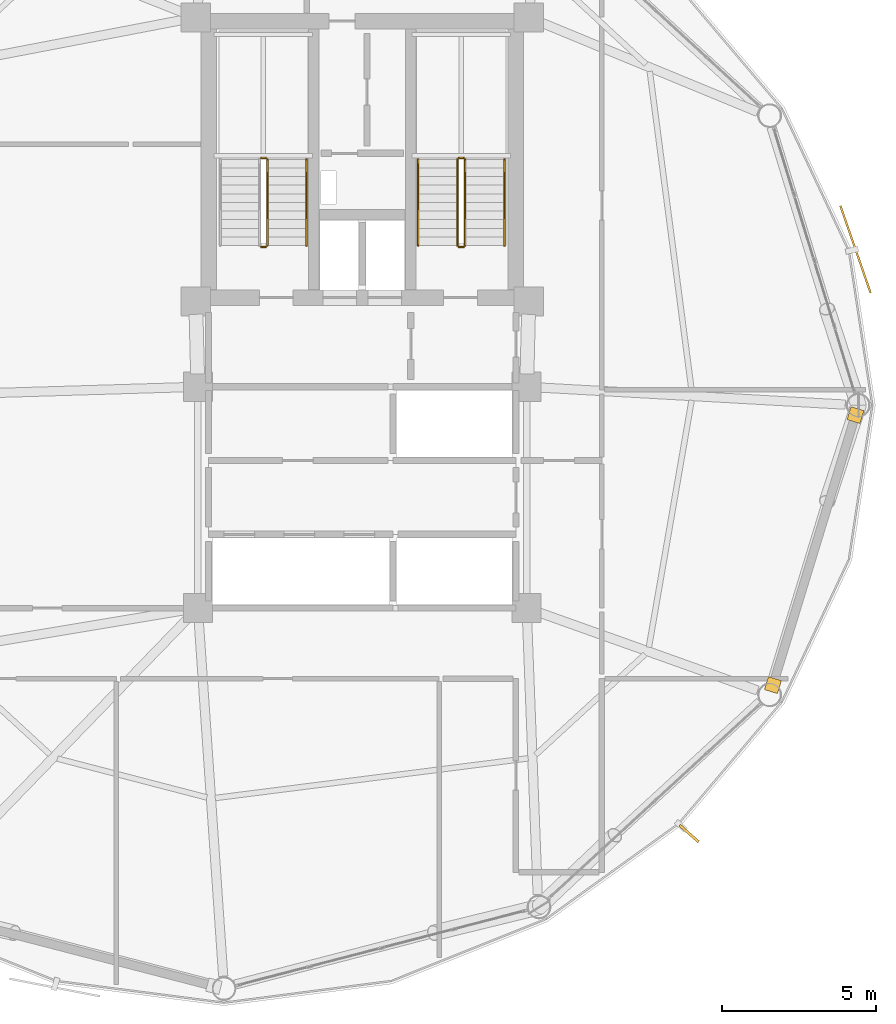
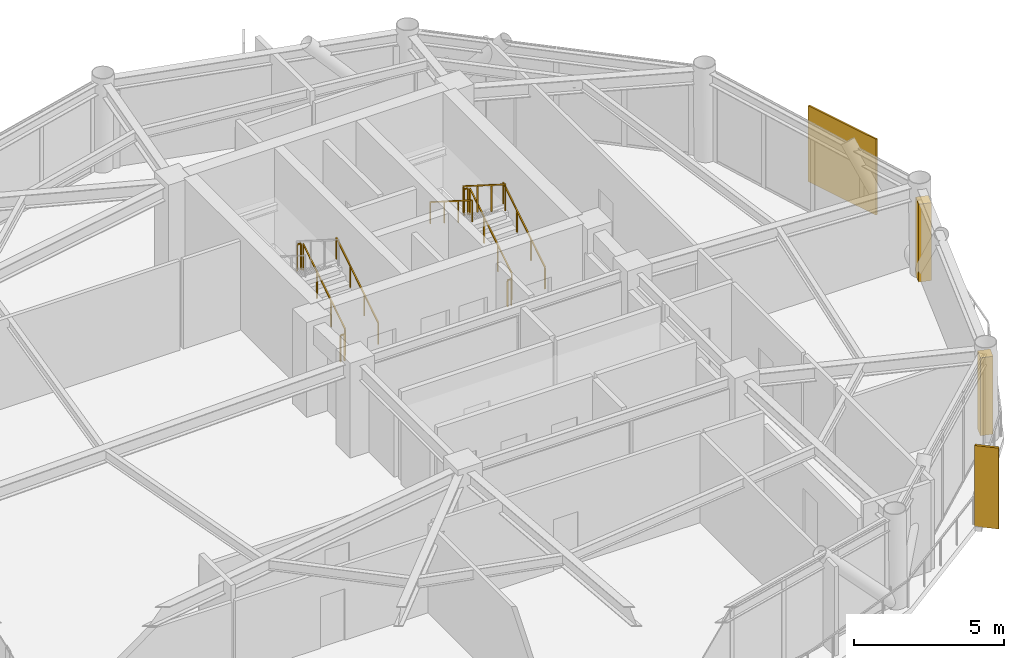
# One storey, part 24 of 25: 10 railings, 2 coverings, 2 shading devices.
"""IFC4 building model written with IfcOpenShell, lengths in metres."""

from ifc_helpers import new_model, si_unit, direction, frame, origin, origin_2d, place, context, subcontext, project, spatial, rectangle, extrude, source, transform, mapped, material, layer, layer_set, type_object, type_shapes, element, save


model = new_model("IFC4")

# Units and contexts
model_context = context("Model", 3, precision=1e-05, world=origin(), true_north=direction((0.0, 1.0)))
body_context = subcontext(model_context, "Body", "Model", "MODEL_VIEW")
ifc_project = project(units=[si_unit("LENGTHUNIT", "METRE"), si_unit("AREAUNIT", "SQUARE_METRE"), si_unit("VOLUMEUNIT", "CUBIC_METRE"), si_unit("PLANEANGLEUNIT", "RADIAN"), si_unit("MASSUNIT", "GRAM", prefix="KILO")], contexts=[model_context])

# Site, building, storey
site_placement = place(None, origin())
site = spatial("IfcSite", under=ifc_project, at=site_placement, CompositionType="ELEMENT")
building_placement = place(site_placement, origin())
building = spatial("IfcBuilding", under=site, at=building_placement, Name="Varnakorn Sky Granary", CompositionType="ELEMENT")
storey_placement = place(building_placement, frame((0.0, 0.0, 157.800048828125)))
storey = spatial("IfcBuildingStorey", under=building, at=storey_placement, Name="L39", CompositionType="ELEMENT", Elevation=157.800048828125)

# Railings
ifc_material_1 = material(Name="Brushed Stainless Steel 316", Category="steel")
railing_type_1 = type_object("IfcRailingType", Name="RL-STAIR-1100", PredefinedType="GUARDRAIL", material=ifc_material_1)
railing_1_placement = place(storey_placement, frame((-0.090087890625, 5.199951171875, 0.17724609375)))
element("IfcRailing", 1, at=railing_1_placement, inside=storey, type_object=railing_type_1, Name="L39 ST-1 stair guard 1", PredefinedType="GUARDRAIL", context=body_context, shape_type="SweptSolid", body=[
    extrude(rectangle(XDim=0.048095703125, YDim=0.048095703125, at=origin_2d()), frame((0.0, 0.0, 1.076171875), z_axis=(0.0, 0.844908973607, 0.534910110503), x_axis=(-1.0, 0.0, 0.0)), (0.0, 0.0, 1.0), 3.31396484375),
    extrude(rectangle(XDim=0.0419921875, YDim=0.0419921875, at=origin_2d()), origin(), (0.0, 0.0, 1.0), 1.048095703125),
    extrude(rectangle(XDim=0.0419921875, YDim=0.0419921875, at=origin_2d()), frame((0.0, 0.933349609375, 0.5908203125)), (0.0, 0.0, 1.0), 1.048095703125),
    extrude(rectangle(XDim=0.0419921875, YDim=0.0419921875, at=origin_2d()), frame((0.0, 1.86669921875, 1.181884765625)), (0.0, 0.0, 1.0), 1.048095703125),
    extrude(rectangle(XDim=0.0419921875, YDim=0.0419921875, at=origin_2d()), frame((0.0, 2.800048828125, 1.772705078125)), (0.0, 0.0, 1.0), 1.048095703125),
])
for number, where, name in (
    (2, (-0.139892578125, 8.050048828125, 1.949951171875), "L39 ST-1 stair guard 2"),
    (3, (-0.139892578125, 5.14990234375, 0.0), "L39 ST-1 stair guard 4"),
):
    element("IfcRailing", number, at=place(storey_placement, frame(where)), inside=storey, type_object=railing_type_1, Name=name, PredefinedType="GUARDRAIL", context=body_context, shape_type="SweptSolid", body=[
        extrude(rectangle(XDim=0.048095703125, YDim=0.048095703125, at=origin_2d()), frame((0.0, 0.0, 1.076171875), z_axis=(-1.0, 0.0, 0.0), x_axis=(0.0, -1.0, 0.0)), (0.0, 0.0, 1.0), 0.150146484375),
        extrude(rectangle(XDim=0.0419921875, YDim=0.0419921875, at=origin_2d()), origin(), (0.0, 0.0, 1.0), 1.048095703125),
        extrude(rectangle(XDim=0.0419921875, YDim=0.0419921875, at=origin_2d()), frame((-0.150146484375, 0.0, 0.0)), (0.0, 0.0, 1.0), 1.048095703125),
    ])
railing_2_placement = place(storey_placement, frame((6.35009765625, 5.199951171875, 0.17724609375)))
element("IfcRailing", 4, at=railing_2_placement, inside=storey, type_object=railing_type_1, Name="L39 ST-2 stair guard 1", PredefinedType="GUARDRAIL", context=body_context, shape_type="SweptSolid", body=[
    extrude(rectangle(XDim=0.048095703125, YDim=0.048095703125, at=origin_2d()), frame((0.0, 0.0, 1.076171875), z_axis=(0.0, 0.844908973607, 0.534910110503), x_axis=(-1.0, 0.0, 0.0)), (0.0, 0.0, 1.0), 3.31396484375),
    extrude(rectangle(XDim=0.0419921875, YDim=0.0419921875, at=origin_2d()), origin(), (0.0, 0.0, 1.0), 1.048095703125),
    extrude(rectangle(XDim=0.0419921875, YDim=0.0419921875, at=origin_2d()), frame((0.0, 0.933349609375, 0.5908203125)), (0.0, 0.0, 1.0), 1.048095703125),
    extrude(rectangle(XDim=0.0419921875, YDim=0.0419921875, at=origin_2d()), frame((0.0, 1.86669921875, 1.181884765625)), (0.0, 0.0, 1.0), 1.048095703125),
    extrude(rectangle(XDim=0.0419921875, YDim=0.0419921875, at=origin_2d()), frame((0.0, 2.800048828125, 1.772705078125)), (0.0, 0.0, 1.0), 1.048095703125),
])
railing_3_placement = place(storey_placement, frame((6.300048828125, 8.050048828125, 1.949951171875)))
element("IfcRailing", 5, at=railing_3_placement, inside=storey, type_object=railing_type_1, Name="L39 ST-2 stair guard 2", PredefinedType="GUARDRAIL", context=body_context, shape_type="SweptSolid", body=[
    extrude(rectangle(XDim=0.048095703125, YDim=0.048095703125, at=origin_2d()), frame((0.0, 0.0, 1.076171875), z_axis=(-1.0, 0.0, 0.0), x_axis=(0.0, -1.0, 0.0)), (0.0, 0.0, 1.0), 0.150146484375),
    extrude(rectangle(XDim=0.0419921875, YDim=0.0419921875, at=origin_2d()), origin(), (0.0, 0.0, 1.0), 1.048095703125),
    extrude(rectangle(XDim=0.0419921875, YDim=0.0419921875, at=origin_2d()), frame((-0.150146484375, 0.0, 0.0)), (0.0, 0.0, 1.0), 1.048095703125),
])
railing_4_placement = place(storey_placement, frame((6.10009765625, 8.0, 2.127197265625)))
element("IfcRailing", 6, at=railing_4_placement, inside=storey, type_object=railing_type_1, Name="L39 ST-2 stair guard 3", PredefinedType="GUARDRAIL", context=body_context, shape_type="SweptSolid", body=[
    extrude(rectangle(XDim=0.048095703125, YDim=0.048095703125, at=origin_2d()), frame((0.0, 0.0, 1.076171875), z_axis=(0.0, -0.844908973607, 0.534910110503), x_axis=(1.0, 0.0, 0.0)), (0.0, 0.0, 1.0), 3.31396484375),
    extrude(rectangle(XDim=0.0419921875, YDim=0.0419921875, at=origin_2d()), origin(), (0.0, 0.0, 1.0), 1.048095703125),
    extrude(rectangle(XDim=0.0419921875, YDim=0.0419921875, at=origin_2d()), frame((0.0, -0.933349609375, 0.5908203125)), (0.0, 0.0, 1.0), 1.048095703125),
    extrude(rectangle(XDim=0.0419921875, YDim=0.0419921875, at=origin_2d()), frame((0.0, -1.86669921875, 1.181884765625)), (0.0, 0.0, 1.0), 1.048095703125),
    extrude(rectangle(XDim=0.0419921875, YDim=0.0419921875, at=origin_2d()), frame((0.0, -2.800048828125, 1.772705078125)), (0.0, 0.0, 1.0), 1.048095703125),
])
railing_5_placement = place(storey_placement, frame((6.300048828125, 5.14990234375, 0.0)))
element("IfcRailing", 7, at=railing_5_placement, inside=storey, type_object=railing_type_1, Name="L39 ST-2 stair guard 4", PredefinedType="GUARDRAIL", context=body_context, shape_type="SweptSolid", body=[
    extrude(rectangle(XDim=0.048095703125, YDim=0.048095703125, at=origin_2d()), frame((0.0, 0.0, 1.076171875), z_axis=(-1.0, 0.0, 0.0), x_axis=(0.0, -1.0, 0.0)), (0.0, 0.0, 1.0), 0.150146484375),
    extrude(rectangle(XDim=0.0419921875, YDim=0.0419921875, at=origin_2d()), origin(), (0.0, 0.0, 1.0), 1.048095703125),
    extrude(rectangle(XDim=0.0419921875, YDim=0.0419921875, at=origin_2d()), frame((-0.150146484375, 0.0, 0.0)), (0.0, 0.0, 1.0), 1.048095703125),
])
railing_type_2 = type_object("IfcRailingType", Name="RL-STAIR-920", PredefinedType="HANDRAIL", material=ifc_material_1)
for number, where, name in (
    (8, (1.18994140625, 5.199951171875, 0.17724609375), "L39 ST-1 stair handrail 1"),
    (9, (7.6298828125, 5.199951171875, 0.17724609375), "L39 ST-2 stair handrail 1"),
):
    element("IfcRailing", number, at=place(storey_placement, frame(where)), inside=storey, type_object=railing_type_2, Name=name, PredefinedType="HANDRAIL", context=body_context, shape_type="SweptSolid", body=[
        extrude(rectangle(XDim=0.048095703125, YDim=0.048095703125, at=origin_2d()), frame((0.0, 0.0, 0.8759765625), z_axis=(0.0, 0.844908973607, 0.534910110503), x_axis=(-1.0, 0.0, 0.0)), (0.0, 0.0, 1.0), 3.31396484375),
        extrude(rectangle(XDim=0.0419921875, YDim=0.0419921875, at=origin_2d()), origin(), (0.0, 0.0, 1.0), 0.847900390625),
        extrude(rectangle(XDim=0.0419921875, YDim=0.0419921875, at=origin_2d()), frame((0.0, 0.933349609375, 0.5908203125)), (0.0, 0.0, 1.0), 0.847900390625),
        extrude(rectangle(XDim=0.0419921875, YDim=0.0419921875, at=origin_2d()), frame((0.0, 1.86669921875, 1.181884765625)), (0.0, 0.0, 1.0), 0.847900390625),
        extrude(rectangle(XDim=0.0419921875, YDim=0.0419921875, at=origin_2d()), frame((0.0, 2.800048828125, 1.772705078125)), (0.0, 0.0, 1.0), 0.847900390625),
    ])
railing_6_placement = place(storey_placement, frame((4.820068359375, 8.0, 2.127197265625)))
element("IfcRailing", 10, at=railing_6_placement, inside=storey, type_object=railing_type_2, Name="L39 ST-2 stair handrail 2", PredefinedType="HANDRAIL", context=body_context, shape_type="SweptSolid", body=[
    extrude(rectangle(XDim=0.048095703125, YDim=0.048095703125, at=origin_2d()), frame((0.0, 0.0, 0.8759765625), z_axis=(0.0, -0.844908973607, 0.534910110503), x_axis=(1.0, 0.0, 0.0)), (0.0, 0.0, 1.0), 3.31396484375),
    extrude(rectangle(XDim=0.0419921875, YDim=0.0419921875, at=origin_2d()), origin(), (0.0, 0.0, 1.0), 0.847900390625),
    extrude(rectangle(XDim=0.0419921875, YDim=0.0419921875, at=origin_2d()), frame((0.0, -0.933349609375, 0.5908203125)), (0.0, 0.0, 1.0), 0.847900390625),
    extrude(rectangle(XDim=0.0419921875, YDim=0.0419921875, at=origin_2d()), frame((0.0, -1.86669921875, 1.181884765625)), (0.0, 0.0, 1.0), 0.847900390625),
    extrude(rectangle(XDim=0.0419921875, YDim=0.0419921875, at=origin_2d()), frame((0.0, -2.800048828125, 1.772705078125)), (0.0, 0.0, 1.0), 0.847900390625),
])

# Shading devices
ifc_material_2 = material(Name="Anodised Bronze Aluminium Alloy 6063-T6", Category="aluminium")
shading_device_type_1 = type_object("IfcShadingDeviceType", Name="SH-SCR-02", PredefinedType="USERDEFINED", material=ifc_material_2)
shared_shape_1 = source(origin(), body_context, "Body", "SweptSolid", [
    extrude(rectangle(XDim=3.0, YDim=0.06494140625, at=origin_2d()), origin(), (0.0, 0.0, 1.0), 3.10009765625),
])
type_shapes(shading_device_type_1, [shared_shape_1])
shading_device_1_placement = place(storey_placement, frame((19.05126953125, 5.072998046875, -0.0400390625), z_axis=(0.0, 0.0, 1.0), x_axis=(-0.327479462568, 0.944858297099, 0.0)))
element("IfcShadingDevice", 11, at=shading_device_1_placement, inside=storey, type_object=shading_device_type_1, Name="Perforated Bronze Solar Screen Panel SCREEN L39-01", ObjectType="SCREEN", PredefinedType="USERDEFINED", context=body_context, shape_type="MappedRepresentation", body=[
    mapped(shared_shape_1, transform((0.0, 0.0, 0.0), x_axis=(1.0, 0.0, 0.0), y_axis=(0.0, 1.0, 0.0), z_axis=(0.0, 0.0, 1.0), scale=1.0)),
])
shading_device_type_2 = type_object("IfcShadingDeviceType", Name="SH-FIN-02", PredefinedType="USERDEFINED", material=ifc_material_2)
shared_shape_2 = source(origin(), body_context, "Body", "SweptSolid", [
    extrude(rectangle(XDim=0.0849609375, YDim=0.820068359375, at=origin_2d()), origin(), (0.0, 0.0, 1.0), 3.300048828125),
])
type_shapes(shading_device_type_2, [shared_shape_2])
shading_device_2_placement = place(storey_placement, frame((13.638916015625, -13.938720703125, -0.0400390625), z_axis=(0.0, 0.0, 1.0), x_axis=(0.660236705207, 0.751057583077, 0.0)))
element("IfcShadingDevice", 12, at=shading_device_2_placement, inside=storey, type_object=shading_device_type_2, Name="Bronze Solar-Tracking Vertical Blade FIN L39-11", ObjectType="FIN", PredefinedType="USERDEFINED", context=body_context, shape_type="MappedRepresentation", body=[
    mapped(shared_shape_2, transform((0.0, 0.0, 0.0), x_axis=(1.0, 0.0, 0.0), y_axis=(0.0, 1.0, 0.0), z_axis=(0.0, 0.0, 1.0), scale=1.0)),
])

# Coverings
ifc_layer = layer(ifc_material_2, 0.050048828125, Name="Anodised Bronze Aluminium Alloy 6063-T6")
ifc_layer_set = layer_set([ifc_layer], Name="Anodised Bronze Aluminium Alloy 6063-T6")
covering_type = type_object("IfcCoveringType", Name="CV-CLAD-50", PredefinedType="CLADDING", material=ifc_layer_set)
shared_shape_3 = source(origin(), body_context, "Body", "SweptSolid", [
    extrude(rectangle(XDim=0.43994140625, YDim=0.43994140625, at=origin_2d()), origin(), (0.0, 0.0, 1.0), 3.179931640625),
])
type_shapes(covering_type, [shared_shape_3])
for number, where, z_axis, x_axis, name in (
    (13, (19.0517578125, -0.3212890625, -0.02001953125), (0.0, 0.0, 1.0), (-0.292371704723, -0.956304755963, 0.0), "Bronze Corner Pilaster Closure L39-P12-A"),
    (14, (16.36474609375, -9.107666015625, -0.02001953125), (0.0, 0.0, 1.0), (-0.292371704723, -0.956304755963, 0.0), "Bronze Corner Pilaster Closure L39-P12-B"),
):
    element("IfcCovering", number, at=place(storey_placement, frame(where, z_axis=z_axis, x_axis=x_axis)), inside=storey, type_object=covering_type, Name=name, PredefinedType="CLADDING", context=body_context, shape_type="MappedRepresentation", body=[
        mapped(shared_shape_3, transform((0.0, 0.0, 0.0), x_axis=(1.0, 0.0, 0.0), y_axis=(0.0, 1.0, 0.0), z_axis=(0.0, 0.0, 1.0), scale=1.0)),
    ])

save(model, "model.ifc")
